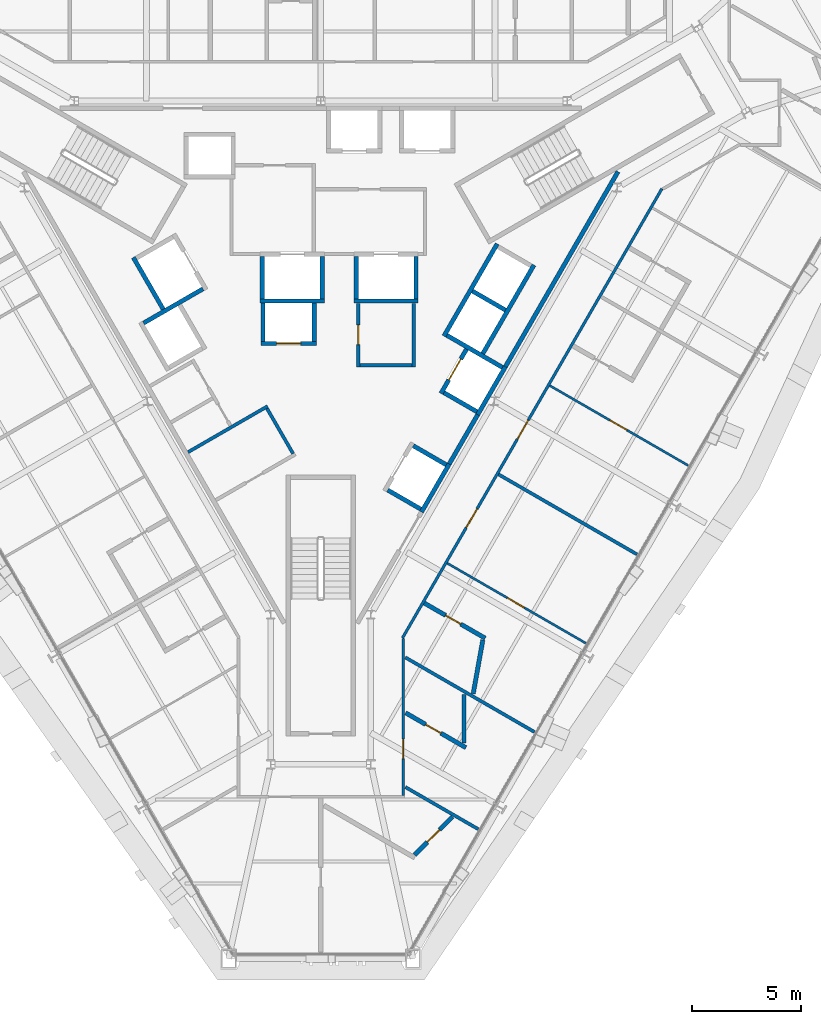
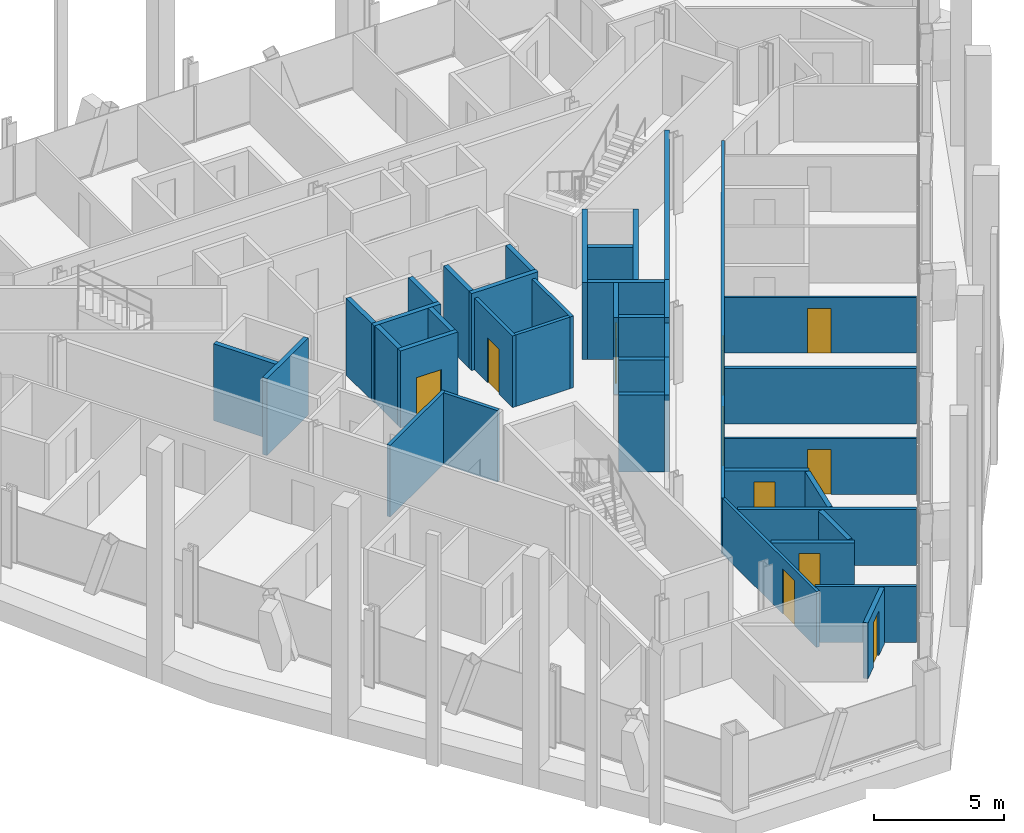
# One storey, part 11 of 16: 40 walls, 11 doors, 11 openings.
"""IFC4 building model written with IfcOpenShell, lengths in metres."""

from ifc_helpers import new_model, si_unit, direction, frame, frame_2d, origin, place, context, subcontext, project, spatial, rectangle, extrude, material, layer, layer_set, type_object, element, fill, save


model = new_model("IFC4")

# Units and contexts
model_context = context("Model", 3, precision=1e-05, world=origin(), true_north=direction((0.0, 1.0)))
body_context = subcontext(model_context, "Body", "Model", "MODEL_VIEW")
ifc_project = project(units=[si_unit("LENGTHUNIT", "METRE"), si_unit("AREAUNIT", "SQUARE_METRE"), si_unit("VOLUMEUNIT", "CUBIC_METRE"), si_unit("PLANEANGLEUNIT", "RADIAN"), si_unit("MASSUNIT", "GRAM", prefix="KILO")], contexts=[model_context])

# Site, building, storey
site_placement = place(None, origin())
site = spatial("IfcSite", under=ifc_project, at=site_placement, CompositionType="ELEMENT")
building_placement = place(site_placement, origin())
building = spatial("IfcBuilding", under=site, at=building_placement, Name="Verrane Prism Tower", CompositionType="ELEMENT")
storey_placement = place(building_placement, frame((0.0, 0.0, 103.60009765625)))
storey = spatial("IfcBuildingStorey", under=building, at=storey_placement, Name="L24", CompositionType="ELEMENT", Elevation=103.60009765625)

# Walls
ifc_material_1 = material(Name="Gypsum board partition", Category="other")
ifc_layer_1 = layer(ifc_material_1, 0.199951171875)
ifc_layer_set_1 = layer_set([ifc_layer_1], Name="CW-200 core boundary wall 2 h")
wall_type_1 = type_object("IfcWallType", Name="CW-200 core boundary wall 2 h", PredefinedType="PARTITIONING", material=ifc_layer_set_1)
wall_1_placement = place(storey_placement, frame((5.906005859375, -7.489990234375, 0.0), z_axis=(0.0, 0.0, 1.0), x_axis=(0.500252727967, 0.865879442048, 0.0)))
element("IfcWall", 1, at=wall_1_placement, inside=storey, type_object=wall_type_1, Name="Core boundary wall CW3-005", PredefinedType="PARTITIONING", context=body_context, shape_type="SweptSolid", body=[
    extrude(rectangle(XDim=2.616943359375, YDim=0.199951171875, at=frame_2d((1.30859375, 0.0))), origin(), (0.0, 0.0, 1.0), 3.349853515625),
])
wall_2_placement = place(storey_placement, frame((8.491943359375, -3.011962890625, 0.0), z_axis=(0.0, 0.0, 1.0), x_axis=(0.499972957231, 0.866041016371, 0.0)))
element("IfcWall", 2, at=wall_2_placement, inside=storey, type_object=wall_type_1, Name="Core boundary wall CW3-007", PredefinedType="PARTITIONING", context=body_context, shape_type="SweptSolid", body=[
    extrude(rectangle(XDim=10.3486328125, YDim=0.199951171875, at=frame_2d((5.17431640625, 0.0))), origin(), (0.0, 0.0, 1.0), 3.349853515625),
])

# Wall, opening, door
ifc_material_2 = material(Name="Gypsum board shaft wall assembly", Category="other")
ifc_layer_2 = layer(ifc_material_2, 0.199951171875)
ifc_layer_set_2 = layer_set([ifc_layer_2], Name="HW-200 lift shaft wall 2 h")
wall_type_2 = type_object("IfcWallType", Name="HW-200 lift shaft wall 2 h", PredefinedType="PARTITIONING", material=ifc_layer_set_2)
wall_3_placement = place(storey_placement, frame((-2.7548828125, -1.949951171875, 0.0), z_axis=(0.0, 0.0, 1.0), x_axis=(1.0, 0.0, 0.0)))
wall_3 = element("IfcWall", 3, at=wall_3_placement, inside=storey, type_object=wall_type_2, Name="Lift shaft wall", PredefinedType="PARTITIONING", context=body_context, shape_type="SweptSolid", body=[
    extrude(rectangle(XDim=2.5498046875, YDim=0.199951171875, at=frame_2d((1.27490234375, 0.0))), origin(), (0.0, 0.0, 1.0), 3.599853515625),
])
opening_1_placement = place(wall_3_placement, frame((0.72509765625, 0.0, 0.0)))
opening_1 = element("IfcOpeningElement", 4, at=opening_1_placement, cuts=wall_3, Name="Opening D24504", PredefinedType="OPENING", context=body_context, shape_type="SweptSolid", body=[
    extrude(rectangle(XDim=1.10009765625, YDim=2.10009765625, at=frame_2d((0.550048828125, 1.050048828125))), frame((0.0, 0.10986328125, 0.0), z_axis=(0.0, -1.0, 0.0), x_axis=(1.0, 0.0, 0.0)), (0.0, 0.0, 1.0), 0.219970703125),
])
ifc_material_3 = material(Name="Stainless steel sliding landing door", Category="steel")
door_type_1 = type_object("IfcDoorType", Name="LD-1100x2100 lift landing door FD90 sliding", OperationType="NOTDEFINED", PredefinedType="DOOR", material=ifc_material_3)
door_1_placement = place(opening_1_placement, origin())
door_1 = element("IfcDoor", 5, at=door_1_placement, inside=storey, type_object=door_type_1, Name="Bank A lift 2 landing door", OperationType="SLIDING_TO_RIGHT", OverallHeight=2.10009765625, OverallWidth=1.10009765625, PredefinedType="DOOR", context=body_context, shape_type="SweptSolid", body=[
    extrude(rectangle(XDim=1.10009765625, YDim=2.10009765625, at=frame_2d((0.550048828125, 1.050048828125))), frame((0.0, 0.02490234375, 0.0), z_axis=(0.0, -1.0, 0.0), x_axis=(1.0, 0.0, 0.0)), (0.0, 0.0, 1.0), 0.050048828125),
])
fill(opening_1, door_1)

# Walls
wall_4_placement = place(storey_placement, frame((-2.784912109375, 0.0, 0.0), z_axis=(0.0, 0.0, 1.0), x_axis=(1.0, 0.0, 0.0)))
element("IfcWall", 6, at=wall_4_placement, inside=storey, type_object=wall_type_2, Name="Lift shaft wall", PredefinedType="PARTITIONING", context=body_context, shape_type="SweptSolid", body=[
    extrude(rectangle(XDim=2.949951171875, YDim=0.199951171875, at=frame_2d((1.47509765625, 0.0))), origin(), (0.0, 0.0, 1.0), 3.599853515625),
])
wall_5_placement = place(storey_placement, frame((1.52490234375, 0.0, 0.0), z_axis=(0.0, 0.0, 1.0), x_axis=(1.0, 0.0, 0.0)))
element("IfcWall", 7, at=wall_5_placement, inside=storey, type_object=wall_type_2, Name="Lift shaft wall", PredefinedType="PARTITIONING", context=body_context, shape_type="SweptSolid", body=[
    extrude(rectangle(XDim=2.9501953125, YDim=0.199951171875, at=frame_2d((1.47509765625, 0.0))), origin(), (0.0, 0.0, 1.0), 3.599853515625),
])
wall_6_placement = place(storey_placement, frame((-8.14453125, -1.012939453125, 0.0), z_axis=(0.0, 0.0, 1.0), x_axis=(0.866016494683, 0.500015430699, 0.0)))
element("IfcWall", 8, at=wall_6_placement, inside=storey, type_object=wall_type_2, Name="Lift shaft wall", PredefinedType="PARTITIONING", context=body_context, shape_type="SweptSolid", body=[
    extrude(rectangle(XDim=3.14990234375, YDim=0.199951171875, at=frame_2d((1.574951171875, 0.0))), origin(), (0.0, 0.0, 1.0), 3.599853515625),
])
wall_7_placement = place(storey_placement, frame((4.63037109375, -9.69970703125, 0.0), z_axis=(0.0, 0.0, 1.0), x_axis=(0.500062241894, 0.865989465428, 0.0)))
element("IfcWall", 9, at=wall_7_placement, inside=storey, type_object=wall_type_2, Name="Lift shaft wall", PredefinedType="PARTITIONING", context=body_context, shape_type="SweptSolid", body=[
    extrude(rectangle(XDim=2.550048828125, YDim=0.199951171875, at=frame_2d((1.27490234375, 0.0))), origin(), (0.0, 0.0, 1.0), 3.599853515625),
])
wall_8_placement = place(storey_placement, frame((7.215576171875, -5.222412109375, 0.0), z_axis=(0.0, 0.0, 1.0), x_axis=(0.499990435942, 0.866030925526, 0.0)))
element("IfcWall", 10, at=wall_8_placement, inside=storey, type_object=wall_type_2, Name="Lift shaft wall", PredefinedType="PARTITIONING", context=body_context, shape_type="SweptSolid", body=[
    extrude(rectangle(XDim=2.5498046875, YDim=0.199951171875, at=frame_2d((1.27490234375, 0.0))), origin(), (0.0, 0.0, 1.0), 3.599853515625),
])
wall_9_placement = place(storey_placement, frame((7.451171875, -2.4140625, 0.0), z_axis=(0.0, 0.0, 1.0), x_axis=(0.500016218704, 0.866016039709, 0.0)))
element("IfcWall", 11, at=wall_9_placement, inside=storey, type_object=wall_type_2, Name="Lift shaft wall", PredefinedType="PARTITIONING", context=body_context, shape_type="SweptSolid", body=[
    extrude(rectangle(XDim=4.699951171875, YDim=0.199951171875, at=frame_2d((2.35009765625, 0.0))), origin(), (0.0, 0.0, 1.0), 3.599853515625),
])

# Wall, opening, door
wall_10_placement = place(storey_placement, frame((5.52685546875, -4.247314453125, 0.0), z_axis=(0.0, 0.0, 1.0), x_axis=(0.499938297808, 0.866061024631, 0.0)))
wall_10 = element("IfcWall", 12, at=wall_10_placement, inside=storey, type_object=wall_type_2, Name="Lift shaft wall", PredefinedType="PARTITIONING", context=body_context, shape_type="SweptSolid", body=[
    extrude(rectangle(XDim=2.349853515625, YDim=0.199951171875, at=frame_2d((1.1748046875, 0.0))), origin(), (0.0, 0.0, 1.0), 3.599853515625),
])
opening_2_placement = place(wall_10_placement, frame((0.72509765625, 0.0, 0.0)))
opening_2 = element("IfcOpeningElement", 13, at=opening_2_placement, cuts=wall_10, Name="Opening D24507", PredefinedType="OPENING", context=body_context, shape_type="SweptSolid", body=[
    extrude(rectangle(XDim=1.10009765625, YDim=2.10009765625, at=frame_2d((0.550048828125, 1.050048828125))), frame((0.0, 0.10986328125, 0.0), z_axis=(0.0, -1.0, 0.0), x_axis=(1.0, 0.0, 0.0)), (0.0, 0.0, 1.0), 0.219970703125),
])
door_2_placement = place(opening_2_placement, origin())
door_2 = element("IfcDoor", 14, at=door_2_placement, inside=storey, type_object=door_type_1, Name="Bank A lift 5 landing door", OperationType="SLIDING_TO_LEFT", OverallHeight=2.10009765625, OverallWidth=1.10009765625, PredefinedType="DOOR", context=body_context, shape_type="SweptSolid", body=[
    extrude(rectangle(XDim=1.10009765625, YDim=2.10009765625, at=frame_2d((0.550048828125, 1.050048828125))), frame((0.0, 0.02490234375, 0.0), z_axis=(0.0, -1.0, 0.0), x_axis=(1.0, 0.0, 0.0)), (0.0, 0.0, 1.0), 0.050048828125),
])
fill(opening_2, door_2)

# Walls
wall_11_placement = place(storey_placement, frame((5.66259765625, -1.6123046875, 0.0), z_axis=(0.0, 0.0, 1.0), x_axis=(0.49998122708, 0.866036242063, 0.0)))
element("IfcWall", 15, at=wall_11_placement, inside=storey, type_object=wall_type_2, Name="Lift shaft wall", PredefinedType="PARTITIONING", context=body_context, shape_type="SweptSolid", body=[
    extrude(rectangle(XDim=4.900146484375, YDim=0.199951171875, at=frame_2d((2.4501953125, 0.0))), origin(), (0.0, 0.0, 1.0), 3.599853515625),
])
for number, where, z_axis, x_axis, name in (
    (16, (4.375, 0.10009765625, 0.0), (0.0, 0.0, 1.0), (0.0, 1.0, 0.0), "Lift shaft wall"),
    (17, (1.625, 0.10009765625, 0.0), (0.0, 0.0, 1.0), (0.0, 1.0, 0.0), "Lift shaft wall"),
    (18, (0.06494140625, 0.10009765625, 0.0), (0.0, 0.0, 1.0), (0.0, 1.0, 0.0), "Lift shaft wall"),
):
    element("IfcWall", number, at=place(storey_placement, frame(where, z_axis=z_axis, x_axis=x_axis)), inside=storey, type_object=wall_type_2, Name=name, PredefinedType="PARTITIONING", context=body_context, shape_type="SweptSolid", body=[
        extrude(rectangle(XDim=1.949951171875, YDim=0.199951171875, at=frame_2d((0.97509765625, 0.0))), origin(), (0.0, 0.0, 1.0), 3.599853515625),
    ])
for number, where, z_axis, x_axis, name in (
    (19, (-0.304931640625, -1.85009765625, 0.0), (0.0, 0.0, 1.0), (0.0, 1.0, 0.0), "Lift shaft wall"),
    (20, (-2.655029296875, -1.85009765625, 0.0), (0.0, 0.0, 1.0), (0.0, 1.0, 0.0), "Lift shaft wall"),
):
    element("IfcWall", number, at=place(storey_placement, frame(where, z_axis=z_axis, x_axis=x_axis)), inside=storey, type_object=wall_type_2, Name=name, PredefinedType="PARTITIONING", context=body_context, shape_type="SweptSolid", body=[
        extrude(rectangle(XDim=1.75, YDim=0.199951171875, at=frame_2d((0.875, 0.0))), origin(), (0.0, 0.0, 1.0), 3.599853515625),
    ])
wall_12_placement = place(storey_placement, frame((-2.68505859375, 0.10009765625, 0.0), z_axis=(0.0, 0.0, 1.0), x_axis=(0.0, 1.0, 0.0)))
element("IfcWall", 21, at=wall_12_placement, inside=storey, type_object=wall_type_2, Name="Lift shaft wall", PredefinedType="PARTITIONING", context=body_context, shape_type="SweptSolid", body=[
    extrude(rectangle(XDim=1.949951171875, YDim=0.199951171875, at=frame_2d((0.97509765625, 0.0))), origin(), (0.0, 0.0, 1.0), 3.599853515625),
])
wall_13_placement = place(storey_placement, frame((-7.241943359375, -0.37646484375, 0.0), z_axis=(0.0, 0.0, 1.0), x_axis=(-0.499996545922, 0.866027397988, 0.0)))
element("IfcWall", 22, at=wall_13_placement, inside=storey, type_object=wall_type_2, Name="Lift shaft wall", PredefinedType="PARTITIONING", context=body_context, shape_type="SweptSolid", body=[
    extrude(rectangle(XDim=2.75, YDim=0.199951171875, at=frame_2d((1.375, 0.0))), origin(), (0.0, 0.0, 1.0), 3.599853515625),
])
wall_14_placement = place(storey_placement, frame((8.48974609375, -0.41552734375, 0.0), z_axis=(0.0, 0.0, 1.0), x_axis=(-0.866036909293, 0.499980071345, 0.0)))
element("IfcWall", 23, at=wall_14_placement, inside=storey, type_object=wall_type_2, Name="Lift shaft wall", PredefinedType="PARTITIONING", context=body_context, shape_type="SweptSolid", body=[
    extrude(rectangle(XDim=1.75, YDim=0.199951171875, at=frame_2d((0.875, 0.0))), origin(), (0.0, 0.0, 1.0), 3.599853515625),
])
wall_15_placement = place(storey_placement, frame((8.35400390625, -3.050537109375, 0.0), z_axis=(0.0, 0.0, 1.0), x_axis=(-0.866060182126, 0.499939757307, 0.0)))
element("IfcWall", 24, at=wall_15_placement, inside=storey, type_object=wall_type_2, Name="Lift shaft wall", PredefinedType="PARTITIONING", context=body_context, shape_type="SweptSolid", body=[
    extrude(rectangle(XDim=2.949951171875, YDim=0.199951171875, at=frame_2d((1.47509765625, 0.0))), origin(), (0.0, 0.0, 1.0), 3.599853515625),
])
wall_16_placement = place(storey_placement, frame((7.178955078125, -5.085693359375, 0.0), z_axis=(0.0, 0.0, 1.0), x_axis=(-0.866036909293, 0.499980071345, 0.0)))
element("IfcWall", 25, at=wall_16_placement, inside=storey, type_object=wall_type_2, Name="Lift shaft wall", PredefinedType="PARTITIONING", context=body_context, shape_type="SweptSolid", body=[
    extrude(rectangle(XDim=1.75, YDim=0.199951171875, at=frame_2d((0.875, 0.0))), origin(), (0.0, 0.0, 1.0), 3.599853515625),
])
wall_17_placement = place(storey_placement, frame((5.768798828125, -7.528076171875, 0.0), z_axis=(0.0, 0.0, 1.0), x_axis=(-0.866002029911, 0.500040482552, 0.0)))
element("IfcWall", 26, at=wall_17_placement, inside=storey, type_object=wall_type_2, Name="Lift shaft wall", PredefinedType="PARTITIONING", context=body_context, shape_type="SweptSolid", body=[
    extrude(rectangle(XDim=1.749755859375, YDim=0.199951171875, at=frame_2d((0.875, 0.0))), origin(), (0.0, 0.0, 1.0), 3.599853515625),
])
wall_18_placement = place(storey_placement, frame((4.593994140625, -9.563232421875, 0.0), z_axis=(0.0, 0.0, 1.0), x_axis=(-0.866036909293, 0.499980071345, 0.0)))
element("IfcWall", 27, at=wall_18_placement, inside=storey, type_object=wall_type_2, Name="Lift shaft wall", PredefinedType="PARTITIONING", context=body_context, shape_type="SweptSolid", body=[
    extrude(rectangle(XDim=1.75, YDim=0.199951171875, at=frame_2d((0.875, 0.0))), origin(), (0.0, 0.0, 1.0), 3.599853515625),
])

# Wall, opening, door
ifc_material_4 = material(Name="Gypsum board partition", Category="other")
ifc_layer_3 = layer(ifc_material_4, 0.10009765625)
ifc_layer_set_3 = layer_set([ifc_layer_3], Name="PW-100 room partition")
wall_type_3 = type_object("IfcWallType", Name="PW-100 room partition", PredefinedType="PARTITIONING", material=ifc_layer_set_3)
wall_19_placement = place(storey_placement, frame((12.1826171875, -15.728759765625, 0.0), z_axis=(0.0, 0.0, 1.0), x_axis=(-0.866066702559, 0.499928461601, 0.0)))
wall_19 = element("IfcWall", 28, at=wall_19_placement, inside=storey, type_object=wall_type_3, Name="Room partition 052", PredefinedType="PARTITIONING", context=body_context, shape_type="SweptSolid", body=[
    extrude(rectangle(XDim=7.35205078125, YDim=0.10009765625, at=frame_2d((3.676025390625, 0.0))), origin(), (0.0, 0.0, 1.0), 2.61279296875),
])
opening_3_placement = place(wall_19_placement, frame((3.2646484375, 0.0, 0.0)))
opening_3 = element("IfcOpeningElement", 29, at=opening_3_placement, cuts=wall_19, Name="Opening D24004", PredefinedType="OPENING", context=body_context, shape_type="SweptSolid", body=[
    extrude(rectangle(XDim=0.89990234375, YDim=2.10009765625, at=frame_2d((0.449951171875, 1.050048828125))), frame((0.0, 0.06005859375, 0.0), z_axis=(0.0, -1.0, 0.0), x_axis=(1.0, 0.0, 0.0)), (0.0, 0.0, 1.0), 0.1201171875),
])
ifc_material_5 = material(Name="Timber veneered door leaf", Category="wood")
door_type_2 = type_object("IfcDoorType", Name="DR-900x2100 single leaf inner", OperationType="NOTDEFINED", PredefinedType="DOOR", material=ifc_material_5)
door_3_placement = place(opening_3_placement, origin())
door_3 = element("IfcDoor", 30, at=door_3_placement, inside=storey, type_object=door_type_2, Name="Suite Living Room door", OperationType="SINGLE_SWING_LEFT", OverallHeight=2.10009765625, OverallWidth=0.89990234375, PredefinedType="DOOR", context=body_context, shape_type="SweptSolid", body=[
    extrude(rectangle(XDim=0.89990234375, YDim=2.10009765625, at=frame_2d((0.449951171875, 1.050048828125))), frame((0.0, 0.02490234375, 0.0), z_axis=(0.0, -1.0, 0.0), x_axis=(1.0, 0.0, 0.0)), (0.0, 0.0, 1.0), 0.050048828125),
])
fill(opening_3, door_3)

wall_20_placement = place(storey_placement, frame((10.530029296875, -3.88623046875, 0.0), z_axis=(0.0, 0.0, 1.0), x_axis=(0.8660606245, -0.499938990969, 0.0)))
wall_20 = element("IfcWall", 31, at=wall_20_placement, inside=storey, type_object=wall_type_3, Name="Room partition 059", PredefinedType="PARTITIONING", context=body_context, shape_type="SweptSolid", body=[
    extrude(rectangle(XDim=7.3525390625, YDim=0.10009765625, at=frame_2d((3.67626953125, 0.0))), origin(), (0.0, 0.0, 1.0), 2.61279296875),
])
opening_4_placement = place(wall_20_placement, frame((3.1875, 0.0, 0.0)))
opening_4 = element("IfcOpeningElement", 32, at=opening_4_placement, cuts=wall_20, Name="Opening D24007", PredefinedType="OPENING", context=body_context, shape_type="SweptSolid", body=[
    extrude(rectangle(XDim=0.89990234375, YDim=2.10009765625, at=frame_2d((0.449951171875, 1.050048828125))), frame((0.0, 0.06005859375, 0.0), z_axis=(0.0, -1.0, 0.0), x_axis=(1.0, 0.0, 0.0)), (0.0, 0.0, 1.0), 0.1201171875),
])
door_4_placement = place(opening_4_placement, origin())
door_4 = element("IfcDoor", 33, at=door_4_placement, inside=storey, type_object=door_type_2, Name="Suite Living Room door", OperationType="SINGLE_SWING_LEFT", OverallHeight=2.10009765625, OverallWidth=0.89990234375, PredefinedType="DOOR", context=body_context, shape_type="SweptSolid", body=[
    extrude(rectangle(XDim=0.89990234375, YDim=2.10009765625, at=frame_2d((0.449951171875, 1.050048828125))), frame((0.0, 0.02490234375, 0.0), z_axis=(0.0, -1.0, 0.0), x_axis=(1.0, 0.0, 0.0)), (0.0, 0.0, 1.0), 0.050048828125),
])
fill(opening_4, door_4)

ifc_material_6 = material(Name="Gypsum board partition", Category="other")
ifc_layer_4 = layer(ifc_material_6, 0.125)
ifc_layer_set_4 = layer_set([ifc_layer_4], Name="PW-125 corridor wall 1 h")
wall_type_4 = type_object("IfcWallType", Name="PW-125 corridor wall 1 h", PredefinedType="PARTITIONING", material=ifc_layer_set_4)
wall_21_placement = place(storey_placement, frame((3.787109375, -15.52490234375, 0.0), z_axis=(0.0, 0.0, 1.0), x_axis=(0.0, -1.0, 0.0)))
wall_21 = element("IfcWall", 34, at=wall_21_placement, inside=storey, type_object=wall_type_4, Name="Corridor wall 045", PredefinedType="PARTITIONING", context=body_context, shape_type="SweptSolid", body=[
    extrude(rectangle(XDim=7.197021484375, YDim=0.125, at=frame_2d((3.5986328125, 0.0))), origin(), (0.0, 0.0, 1.0), 2.61279296875),
])
opening_5_placement = place(wall_21_placement, frame((4.612060546875, 0.0, 0.0)))
opening_5 = element("IfcOpeningElement", 35, at=opening_5_placement, cuts=wall_21, Name="Opening D24001", PredefinedType="OPENING", context=body_context, shape_type="SweptSolid", body=[
    extrude(rectangle(XDim=0.89990234375, YDim=2.10009765625, at=frame_2d((0.449951171875, 1.050048828125))), frame((0.0, 0.072509765625, 0.0), z_axis=(0.0, -1.0, 0.0), x_axis=(1.0, 0.0, 0.0)), (0.0, 0.0, 1.0), 0.14501953125),
])
ifc_material_7 = material(Name="Timber veneered door leaf", Category="wood")
door_type_3 = type_object("IfcDoorType", Name="DR-900x2100 FD20 single leaf unit", OperationType="NOTDEFINED", PredefinedType="DOOR", material=ifc_material_7)
door_5_placement = place(opening_5_placement, origin())
door_5 = element("IfcDoor", 36, at=door_5_placement, inside=storey, type_object=door_type_3, Name="Guest Room door", OperationType="SINGLE_SWING_RIGHT", OverallHeight=2.10009765625, OverallWidth=0.89990234375, PredefinedType="DOOR", context=body_context, shape_type="SweptSolid", body=[
    extrude(rectangle(XDim=0.89990234375, YDim=2.10009765625, at=frame_2d((0.449951171875, 1.050048828125))), frame((0.0, 0.02490234375, 0.0), z_axis=(0.0, -1.0, 0.0), x_axis=(1.0, 0.0, 0.0)), (0.0, 0.0, 1.0), 0.050048828125),
])
fill(opening_5, door_5)

# Wall, openings, doors
wall_22_placement = place(storey_placement, frame((15.684326171875, 5.1650390625, 0.0), z_axis=(0.0, 0.0, 1.0), x_axis=(-0.500027787016, -0.866009360349, 0.0)))
wall_22 = element("IfcWall", 37, at=wall_22_placement, inside=storey, type_object=wall_type_4, Name="Corridor wall 049", PredefinedType="PARTITIONING", context=body_context, shape_type="SweptSolid", body=[
    extrude(rectangle(XDim=23.855712890625, YDim=0.125, at=frame_2d((11.927734375, 0.0))), origin(), (0.0, 0.0, 1.0), 2.61279296875),
])
opening_6_placement = place(wall_22_placement, frame((16.99609375, 0.0, 0.0)))
opening_6 = element("IfcOpeningElement", 38, at=opening_6_placement, cuts=wall_22, Name="Opening D24003", PredefinedType="OPENING", context=body_context, shape_type="SweptSolid", body=[
    extrude(rectangle(XDim=1.0, YDim=2.10009765625, at=frame_2d((0.5, 1.050048828125))), frame((0.0, 0.072509765625, 0.0), z_axis=(0.0, -1.0, 0.0), x_axis=(1.0, 0.0, 0.0)), (0.0, 0.0, 1.0), 0.14501953125),
])
opening_7_placement = place(wall_22_placement, frame((12.2802734375, 0.0, 0.0)))
opening_7 = element("IfcOpeningElement", 39, at=opening_7_placement, cuts=wall_22, Name="Opening D24006", PredefinedType="OPENING", context=body_context, shape_type="SweptSolid", body=[
    extrude(rectangle(XDim=1.0, YDim=2.10009765625, at=frame_2d((0.5, 1.050048828125))), frame((0.0, 0.072509765625, 0.0), z_axis=(0.0, -1.0, 0.0), x_axis=(1.0, 0.0, 0.0)), (0.0, 0.0, 1.0), 0.14501953125),
])
ifc_material_8 = material(Name="Timber veneered door leaf", Category="wood")
door_type_4 = type_object("IfcDoorType", Name="DR-1000x2100 FD20 single leaf unit", OperationType="NOTDEFINED", PredefinedType="DOOR", material=ifc_material_8)
door_6_placement = place(opening_6_placement, origin())
door_6 = element("IfcDoor", 40, at=door_6_placement, inside=storey, type_object=door_type_4, Name="Suite Living Room door", OperationType="SINGLE_SWING_RIGHT", OverallHeight=2.10009765625, OverallWidth=1.0, PredefinedType="DOOR", context=body_context, shape_type="SweptSolid", body=[
    extrude(rectangle(XDim=1.0, YDim=2.10009765625, at=frame_2d((0.5, 1.050048828125))), frame((0.0, 0.02490234375, 0.0), z_axis=(0.0, -1.0, 0.0), x_axis=(1.0, 0.0, 0.0)), (0.0, 0.0, 1.0), 0.050048828125),
])
fill(opening_6, door_6)
door_7_placement = place(opening_7_placement, origin())
door_7 = element("IfcDoor", 41, at=door_7_placement, inside=storey, type_object=door_type_4, Name="Suite Living Room door", OperationType="SINGLE_SWING_LEFT", OverallHeight=2.10009765625, OverallWidth=1.0, PredefinedType="DOOR", context=body_context, shape_type="SweptSolid", body=[
    extrude(rectangle(XDim=1.0, YDim=2.10009765625, at=frame_2d((0.5, 1.050048828125))), frame((0.0, 0.02490234375, 0.0), z_axis=(0.0, -1.0, 0.0), x_axis=(1.0, 0.0, 0.0)), (0.0, 0.0, 1.0), 0.050048828125),
])
fill(opening_7, door_7)

# Walls
ifc_material_9 = material(Name="Gypsum board partition", Category="other")
ifc_layer_5 = layer(ifc_material_9, 0.14990234375)
ifc_layer_set_5 = layer_set([ifc_layer_5], Name="PW-150 demising wall 1 h")
wall_type_5 = type_object("IfcWallType", Name="PW-150 demising wall 1 h", PredefinedType="PARTITIONING", material=ifc_layer_set_5)
wall_23_placement = place(storey_placement, frame((3.886962890625, -22.3447265625, 0.0), z_axis=(0.0, 0.0, 1.0), x_axis=(0.865997824551, -0.500047765591, 0.0)))
element("IfcWall", 42, at=wall_23_placement, inside=storey, type_object=wall_type_5, Name="Demising wall 046", PredefinedType="PARTITIONING", context=body_context, shape_type="SweptSolid", body=[
    extrude(rectangle(XDim=3.8759765625, YDim=0.14990234375, at=frame_2d((1.93798828125, 0.0))), origin(), (0.0, 0.0, 1.0), 2.61279296875),
])
wall_24_placement = place(storey_placement, frame((3.886962890625, -16.384765625, 0.0), z_axis=(0.0, 0.0, 1.0), x_axis=(0.86602133163, -0.500007053112, 0.0)))
element("IfcWall", 43, at=wall_24_placement, inside=storey, type_object=wall_type_5, Name="Demising wall 048", PredefinedType="PARTITIONING", context=body_context, shape_type="SweptSolid", body=[
    extrude(rectangle(XDim=6.8564453125, YDim=0.14990234375, at=frame_2d((3.42822265625, 0.0))), origin(), (0.0, 0.0, 1.0), 2.61279296875),
])
wall_25_placement = place(storey_placement, frame((8.173095703125, -7.96923828125, 0.0), z_axis=(0.0, 0.0, 1.0), x_axis=(0.86596990005, -0.500096122968, 0.0)))
element("IfcWall", 44, at=wall_25_placement, inside=storey, type_object=wall_type_5, Name="Demising wall 056", PredefinedType="PARTITIONING", context=body_context, shape_type="SweptSolid", body=[
    extrude(rectangle(XDim=7.35205078125, YDim=0.14990234375, at=frame_2d((3.676025390625, 0.0))), origin(), (0.0, 0.0, 1.0), 2.61279296875),
])

# Wall, opening, door
ifc_material_10 = material(Name="Gypsum board partition", Category="other")
ifc_layer_6 = layer(ifc_material_10, 0.199951171875)
ifc_layer_set_6 = layer_set([ifc_layer_6], Name="PW-200 plumbing wall")
wall_type_6 = type_object("IfcWallType", Name="PW-200 plumbing wall", PredefinedType="PARTITIONING", material=ifc_layer_set_6)
wall_26_placement = place(storey_placement, frame((3.8994140625, -18.931884765625, 0.0), z_axis=(0.0, 0.0, 1.0), x_axis=(0.865973625928, -0.500089671156, 0.0)))
wall_26 = element("IfcWall", 45, at=wall_26_placement, inside=storey, type_object=wall_type_6, Name="Plumbing wall 047", PredefinedType="PARTITIONING", context=body_context, shape_type="SweptSolid", body=[
    extrude(rectangle(XDim=3.20361328125, YDim=0.199951171875, at=frame_2d((1.601806640625, 0.0))), origin(), (0.0, 0.0, 1.0), 2.61279296875),
])
opening_8_placement = place(wall_26_placement, frame((1.070068359375, 0.0, 0.0)))
opening_8 = element("IfcOpeningElement", 46, at=opening_8_placement, cuts=wall_26, Name="Opening D24002", PredefinedType="OPENING", context=body_context, shape_type="SweptSolid", body=[
    extrude(rectangle(XDim=0.800048828125, YDim=2.10009765625, at=frame_2d((0.39990234375, 1.050048828125))), frame((0.0, 0.10986328125, 0.0), z_axis=(0.0, -1.0, 0.0), x_axis=(1.0, 0.0, 0.0)), (0.0, 0.0, 1.0), 0.219970703125),
])
ifc_material_11 = material(Name="Timber veneered door leaf", Category="wood")
door_type_5 = type_object("IfcDoorType", Name="DR-800x2100 single leaf bath", OperationType="NOTDEFINED", PredefinedType="DOOR", material=ifc_material_11)
door_8_placement = place(opening_8_placement, origin())
door_8 = element("IfcDoor", 47, at=door_8_placement, inside=storey, type_object=door_type_5, Name="En-Suite door", OperationType="SINGLE_SWING_RIGHT", OverallHeight=2.10009765625, OverallWidth=0.800048828125, PredefinedType="DOOR", context=body_context, shape_type="SweptSolid", body=[
    extrude(rectangle(XDim=0.800048828125, YDim=2.10009765625, at=frame_2d((0.39990234375, 1.050048828125))), frame((0.0, 0.02490234375, 0.0), z_axis=(0.0, -1.0, 0.0), x_axis=(1.0, 0.0, 0.0)), (0.0, 0.0, 1.0), 0.050048828125),
])
fill(opening_8, door_8)

wall_27_placement = place(storey_placement, frame((4.318359375, -25.45654296875, 0.0), z_axis=(0.0, 0.0, 1.0), x_axis=(0.70690846209, 0.707305044677, 0.0)))
wall_27 = element("IfcWall", 48, at=wall_27_placement, inside=storey, type_object=wall_type_6, Name="Plumbing wall 050", PredefinedType="PARTITIONING", context=body_context, shape_type="SweptSolid", body=[
    extrude(rectangle(XDim=2.46240234375, YDim=0.199951171875, at=frame_2d((1.231201171875, 0.0))), origin(), (0.0, 0.0, 1.0), 2.61279296875),
])
opening_9_placement = place(wall_27_placement, frame((0.824951171875, 0.0, 0.0)))
opening_9 = element("IfcOpeningElement", 49, at=opening_9_placement, cuts=wall_27, Name="Opening D24042", PredefinedType="OPENING", context=body_context, shape_type="SweptSolid", body=[
    extrude(rectangle(XDim=0.800048828125, YDim=2.10009765625, at=frame_2d((0.39990234375, 1.050048828125))), frame((0.0, 0.10986328125, 0.0), z_axis=(0.0, -1.0, 0.0), x_axis=(1.0, 0.0, 0.0)), (0.0, 0.0, 1.0), 0.219970703125),
])
door_9_placement = place(opening_9_placement, origin())
door_9 = element("IfcDoor", 50, at=door_9_placement, inside=storey, type_object=door_type_5, Name="En-Suite door", OperationType="SINGLE_SWING_RIGHT", OverallHeight=2.10009765625, OverallWidth=0.800048828125, PredefinedType="DOOR", context=body_context, shape_type="SweptSolid", body=[
    extrude(rectangle(XDim=0.800048828125, YDim=2.10009765625, at=frame_2d((0.39990234375, 1.050048828125))), frame((0.0, 0.02490234375, 0.0), z_axis=(0.0, -1.0, 0.0), x_axis=(1.0, 0.0, 0.0)), (0.0, 0.0, 1.0), 0.050048828125),
])
fill(opening_9, door_9)

wall_28_placement = place(storey_placement, frame((7.5615234375, -15.5029296875, 0.0), z_axis=(0.0, 0.0, 1.0), x_axis=(-0.866078705744, 0.499907666931, 0.0)))
wall_28 = element("IfcWall", 51, at=wall_28_placement, inside=storey, type_object=wall_type_6, Name="Plumbing wall 051", PredefinedType="PARTITIONING", context=body_context, shape_type="SweptSolid", body=[
    extrude(rectangle(XDim=3.23291015625, YDim=0.199951171875, at=frame_2d((1.616455078125, 0.0))), origin(), (0.0, 0.0, 1.0), 2.61279296875),
])
opening_10_placement = place(wall_28_placement, frame((1.300537109375, 0.0, 0.0)))
opening_10 = element("IfcOpeningElement", 52, at=opening_10_placement, cuts=wall_28, Name="Opening D24005", PredefinedType="OPENING", context=body_context, shape_type="SweptSolid", body=[
    extrude(rectangle(XDim=0.800048828125, YDim=2.10009765625, at=frame_2d((0.39990234375, 1.050048828125))), frame((0.0, 0.10986328125, 0.0), z_axis=(0.0, -1.0, 0.0), x_axis=(1.0, 0.0, 0.0)), (0.0, 0.0, 1.0), 0.219970703125),
])
door_10_placement = place(opening_10_placement, origin())
door_10 = element("IfcDoor", 53, at=door_10_placement, inside=storey, type_object=door_type_5, Name="En-Suite door", OperationType="SINGLE_SWING_RIGHT", OverallHeight=2.10009765625, OverallWidth=0.800048828125, PredefinedType="DOOR", context=body_context, shape_type="SweptSolid", body=[
    extrude(rectangle(XDim=0.800048828125, YDim=2.10009765625, at=frame_2d((0.39990234375, 1.050048828125))), frame((0.0, 0.02490234375, 0.0), z_axis=(0.0, -1.0, 0.0), x_axis=(1.0, 0.0, 0.0)), (0.0, 0.0, 1.0), 0.050048828125),
])
fill(opening_10, door_10)

# Walls
wall_29_placement = place(storey_placement, frame((6.5869140625, -20.31396484375, 0.0), z_axis=(0.0, 0.0, 1.0), x_axis=(0.0, 1.0, 0.0)))
element("IfcWall", 54, at=wall_29_placement, inside=storey, type_object=wall_type_6, Name="Plumbing wall 053", PredefinedType="PARTITIONING", context=body_context, shape_type="SweptSolid", body=[
    extrude(rectangle(XDim=2.2265625, YDim=0.199951171875, at=frame_2d((1.11328125, 0.0))), origin(), (0.0, 0.0, 1.0), 2.61279296875),
])
wall_30_placement = place(storey_placement, frame((7.00732421875, -18.06005859375, 0.0), z_axis=(0.0, 0.0, 1.0), x_axis=(0.176615903702, 0.984279849717, 0.0)))
element("IfcWall", 55, at=wall_30_placement, inside=storey, type_object=wall_type_6, Name="Plumbing wall 054", PredefinedType="PARTITIONING", context=body_context, shape_type="SweptSolid", body=[
    extrude(rectangle(XDim=2.5185546875, YDim=0.199951171875, at=frame_2d((1.25927734375, 0.0))), origin(), (0.0, 0.0, 1.0), 2.61279296875),
])
ifc_material_12 = material(Name="Gypsum board partition", Category="other")
ifc_layer_7 = layer(ifc_material_12, 0.14990234375)
ifc_layer_set_7 = layer_set([ifc_layer_7], Name="RS-150 riser enclosure wall 1 h")
wall_type_7 = type_object("IfcWallType", Name="RS-150 riser enclosure wall 1 h", PredefinedType="PARTITIONING", material=ifc_layer_set_7)
wall_31_placement = place(storey_placement, frame((-6.10009765625, -6.945556640625, 0.0), z_axis=(0.0, 0.0, 1.0), x_axis=(0.866038200431, 0.499977834903, 0.0)))
element("IfcWall", 56, at=wall_31_placement, inside=storey, type_object=wall_type_7, Name="Riser wall RS3-003", PredefinedType="PARTITIONING", context=body_context, shape_type="SweptSolid", body=[
    extrude(rectangle(XDim=4.220458984375, YDim=0.14990234375, at=frame_2d((2.1103515625, 0.0))), origin(), (0.0, 0.0, 1.0), 3.349853515625),
])
wall_32_placement = place(storey_placement, frame((-2.472412109375, -4.93798828125, 0.0), z_axis=(0.0, 0.0, 1.0), x_axis=(0.500045362686, -0.865999212041, 0.0)))
element("IfcWall", 57, at=wall_32_placement, inside=storey, type_object=wall_type_7, Name="Riser wall RS3-006", PredefinedType="PARTITIONING", context=body_context, shape_type="SweptSolid", body=[
    extrude(rectangle(XDim=2.399658203125, YDim=0.14990234375, at=frame_2d((1.19970703125, 0.0))), origin(), (0.0, 0.0, 1.0), 3.349853515625),
])

# Wall, opening, door
wall_33_placement = place(storey_placement, frame((1.72509765625, -0.10205078125, 0.0), z_axis=(0.0, 0.0, 1.0), x_axis=(0.0, -1.0, 0.0)))
wall_33 = element("IfcWall", 58, at=wall_33_placement, inside=storey, type_object=wall_type_7, Name="Riser wall RS3-007", PredefinedType="PARTITIONING", context=body_context, shape_type="SweptSolid", body=[
    extrude(rectangle(XDim=2.9228515625, YDim=0.14990234375, at=frame_2d((1.46142578125, 0.0))), origin(), (0.0, 0.0, 1.0), 3.349853515625),
])
opening_11_placement = place(wall_33_placement, frame((0.998046875, 0.0, 0.0)))
opening_11 = element("IfcOpeningElement", 59, at=opening_11_placement, cuts=wall_33, Name="Opening D24518", PredefinedType="OPENING", context=body_context, shape_type="SweptSolid", body=[
    extrude(rectangle(XDim=0.89990234375, YDim=2.10009765625, at=frame_2d((0.449951171875, 1.050048828125))), frame((0.0, 0.0849609375, 0.0), z_axis=(0.0, -1.0, 0.0), x_axis=(1.0, 0.0, 0.0)), (0.0, 0.0, 1.0), 0.169921875),
])
ifc_material_13 = material(Name="Timber veneered door leaf", Category="wood")
door_type_6 = type_object("IfcDoorType", Name="DR-900x2100 FD20 single leaf store", OperationType="NOTDEFINED", PredefinedType="DOOR", material=ifc_material_13)
door_11_placement = place(opening_11_placement, origin())
door_11 = element("IfcDoor", 60, at=door_11_placement, inside=storey, type_object=door_type_6, Name="Room door D24518", OperationType="SINGLE_SWING_LEFT", OverallHeight=2.10009765625, OverallWidth=0.89990234375, PredefinedType="DOOR", context=body_context, shape_type="SweptSolid", body=[
    extrude(rectangle(XDim=0.89990234375, YDim=2.10009765625, at=frame_2d((0.449951171875, 1.050048828125))), frame((0.0, 0.02490234375, 0.0), z_axis=(0.0, -1.0, 0.0), x_axis=(1.0, 0.0, 0.0)), (0.0, 0.0, 1.0), 0.050048828125),
])
fill(opening_11, door_11)

# Walls
wall_34_placement = place(storey_placement, frame((1.800048828125, -2.949951171875, 0.0), z_axis=(0.0, 0.0, 1.0), x_axis=(1.0, 0.0, 0.0)))
element("IfcWall", 61, at=wall_34_placement, inside=storey, type_object=wall_type_7, Name="Riser wall RS3-008", PredefinedType="PARTITIONING", context=body_context, shape_type="SweptSolid", body=[
    extrude(rectangle(XDim=2.39990234375, YDim=0.14990234375, at=frame_2d((1.199951171875, 0.0))), origin(), (0.0, 0.0, 1.0), 3.349853515625),
])
wall_35_placement = place(storey_placement, frame((4.27490234375, -3.02490234375, 0.0), z_axis=(0.0, 0.0, 1.0), x_axis=(0.0, 1.0, 0.0)))
element("IfcWall", 62, at=wall_35_placement, inside=storey, type_object=wall_type_7, Name="Riser wall RS3-009", PredefinedType="PARTITIONING", context=body_context, shape_type="SweptSolid", body=[
    extrude(rectangle(XDim=2.9228515625, YDim=0.14990234375, at=frame_2d((1.46142578125, 0.0))), origin(), (0.0, 0.0, 1.0), 3.349853515625),
])

save(model, "model.ifc")
